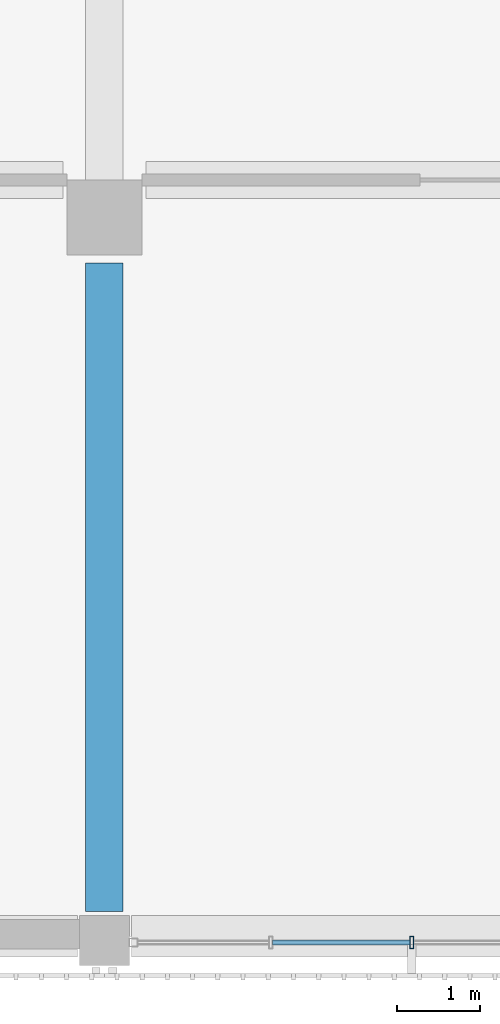
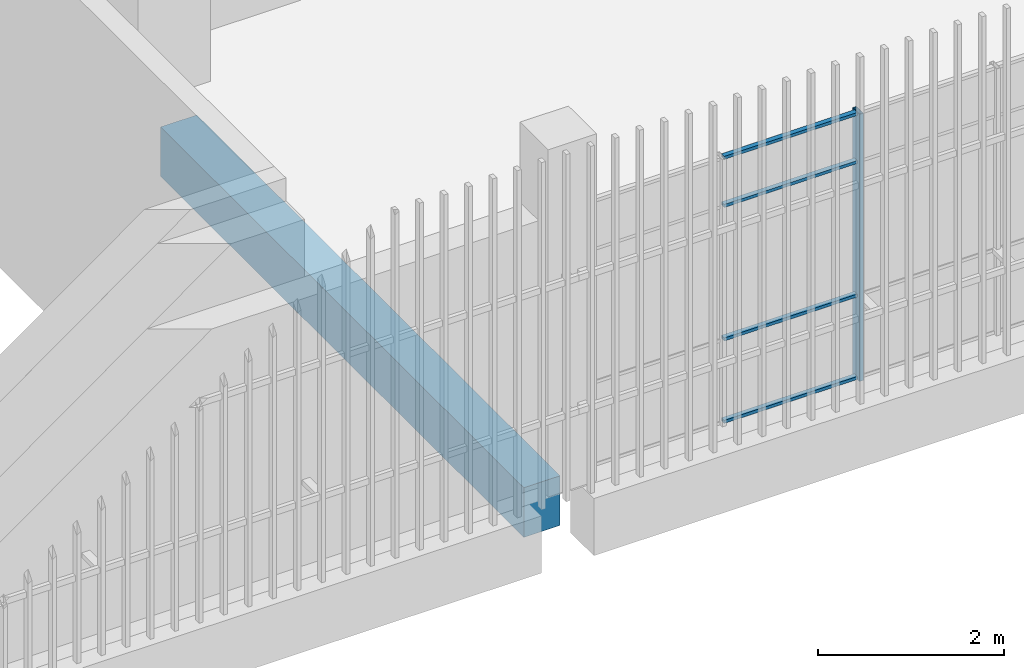
# One storey, part 16 of 104: 5 members, 1 beam, 1 element without a shape of its own.
"""IFC4 building model written with IfcOpenShell, lengths in metres."""

from ifc_helpers import new_model, si_unit, direction, frame, origin, origin_2d, place, context, subcontext, project, spatial, rectangle, hollow_rectangle, extrude, material, layer, layer_set, material_profile, profile_set, type_object, element, aggregate, save


model = new_model("IFC4")

# Units and contexts
model_context = context("Model", 3, precision=1e-05, world=origin(), true_north=direction((0.0, 1.0)))
body_context = subcontext(model_context, "Body", "Model", "MODEL_VIEW")
ifc_project = project(units=[si_unit("LENGTHUNIT", "METRE"), si_unit("AREAUNIT", "SQUARE_METRE"), si_unit("VOLUMEUNIT", "CUBIC_METRE"), si_unit("PLANEANGLEUNIT", "RADIAN"), si_unit("MASSUNIT", "GRAM", prefix="KILO")], contexts=[model_context])

# Site, building, storey
site_placement = place(None, origin())
site = spatial("IfcSite", under=ifc_project, at=site_placement, CompositionType="ELEMENT")
building_placement = place(site_placement, origin())
building = spatial("IfcBuilding", under=site, at=building_placement, Name="Shirokan Park Arena", CompositionType="ELEMENT")
storey_placement = place(building_placement, frame((0.0, 0.0, 10.919921875)))
storey = spatial("IfcBuildingStorey", under=building, at=storey_placement, Name="L02", CompositionType="ELEMENT", Elevation=10.919921875)

# Curtain wall, member
ifc_material_1 = material(Name="Steel and glass curtain wall", Category="steel")
ifc_layer = layer(ifc_material_1, 0.14990234375)
ifc_layer_set = layer_set([ifc_layer], Name="Steel and glass curtain wall 150 mm")
curtain_wall_type = type_object("IfcCurtainWallType", Name="Curtain wall exposed bay 150", PredefinedType="NOTDEFINED", material=ifc_layer_set)
curtain_wall_placement = place(storey_placement, origin())
curtain_wall = element("IfcCurtainWall", 1, at=curtain_wall_placement, inside=storey, type_object=curtain_wall_type, Name="Curtain wall south bay 11 L02", PredefinedType="NOTDEFINED")
ifc_material_2 = material(Name="Steel S355", Category="steel")
ifc_material_profile_1 = material_profile(ifc_material_2, hollow_rectangle(XDim=0.14990234375, YDim=0.050048828125, WallThickness=0.006103515625, at=origin_2d()), Name="RHS 150x50x6")
ifc_profile_set_1 = profile_set([ifc_material_profile_1], Name="Steel S355")
member_type_1 = type_object("IfcMemberType", Name="Mullion RHS 150x50x6", PredefinedType="MULLION", material=ifc_profile_set_1)
member_1_placement = place(storey_placement, frame((94.699951171875, -0.074951171875, 0.0), z_axis=(0.0, 0.0, 1.0), x_axis=(0.0, 1.0, 0.0)))
member_1 = element("IfcMember", 2, at=member_1_placement, type_object=member_type_1, Name="CW1 mullion 3", PredefinedType="MULLION", context=body_context, shape_type="SweptSolid", body=[
    extrude(hollow_rectangle(XDim=0.14990234375, YDim=0.050048828125, WallThickness=0.006103515625, at=origin_2d()), origin(), (0.0, 0.0, 1.0), 3.5),
])

# Beam
ifc_material_3 = material(Name="Concrete C35", Category="concrete")
ifc_material_profile_2 = material_profile(ifc_material_3, rectangle(XDim=0.449951171875, YDim=0.64990234375, at=origin_2d()), Name="450x650")
ifc_profile_set_2 = profile_set([ifc_material_profile_2], Name="Concrete C35")
beam_type = type_object("IfcBeamType", Name="RC girder 450x650", PredefinedType="BEAM", material=ifc_profile_set_2)
beam_placement = place(storey_placement, frame((91.0, 0.300048828125, -0.625), z_axis=(0.0, 1.0, 0.0), x_axis=(-1.0, 0.0, 0.0)))
element("IfcBeam", 3, at=beam_placement, inside=storey, type_object=beam_type, Name="Girder 11A-11B L02", PredefinedType="BEAM", context=body_context, shape_type="SweptSolid", body=[
    extrude(rectangle(XDim=0.449951171875, YDim=0.64990234375, at=origin_2d()), origin(), (0.0, 0.0, 1.0), 7.7998046875),
])

# Member
ifc_material_profile_3 = material_profile(ifc_material_2, hollow_rectangle(XDim=0.06005859375, YDim=0.0400390625, WallThickness=0.00390625, at=origin_2d()), Name="RHS 60x40x4")
ifc_profile_set_3 = profile_set([ifc_material_profile_3], Name="Steel S355")
member_type_2 = type_object("IfcMemberType", Name="Transom RHS 60x40x4", PredefinedType="MULLION", material=ifc_profile_set_3)
member_2_placement = place(storey_placement, frame((93.02490234375, -0.074951171875, 0.02001953125), z_axis=(1.0, 0.0, 0.0), x_axis=(0.0, 1.0, 0.0)))
member_2 = element("IfcMember", 4, at=member_2_placement, type_object=member_type_2, Name="CW1 transom 2.1", PredefinedType="MULLION", context=body_context, shape_type="SweptSolid", body=[
    extrude(hollow_rectangle(XDim=0.06005859375, YDim=0.0400390625, WallThickness=0.00390625, at=origin_2d()), origin(), (0.0, 0.0, 1.0), 1.650146484375),
])

member_3_placement = place(storey_placement, frame((93.02490234375, -0.074951171875, 1.10009765625), z_axis=(1.0, 0.0, 0.0), x_axis=(0.0, 1.0, 0.0)))
member_3 = element("IfcMember", 5, at=member_3_placement, type_object=member_type_2, Name="CW1 transom 2.2", PredefinedType="MULLION", context=body_context, shape_type="SweptSolid", body=[
    extrude(hollow_rectangle(XDim=0.06005859375, YDim=0.0400390625, WallThickness=0.00390625, at=origin_2d()), origin(), (0.0, 0.0, 1.0), 1.650146484375),
])

member_4_placement = place(storey_placement, frame((93.02490234375, -0.074951171875, 2.85009765625), z_axis=(1.0, 0.0, 0.0), x_axis=(0.0, 1.0, 0.0)))
member_4 = element("IfcMember", 6, at=member_4_placement, type_object=member_type_2, Name="CW1 transom 2.3", PredefinedType="MULLION", context=body_context, shape_type="SweptSolid", body=[
    extrude(hollow_rectangle(XDim=0.06005859375, YDim=0.0400390625, WallThickness=0.00390625, at=origin_2d()), origin(), (0.0, 0.0, 1.0), 1.650146484375),
])

member_5_placement = place(storey_placement, frame((93.02490234375, -0.074951171875, 3.47998046875), z_axis=(1.0, 0.0, 0.0), x_axis=(0.0, 1.0, 0.0)))
member_5 = element("IfcMember", 7, at=member_5_placement, type_object=member_type_2, Name="CW1 transom 2.4", PredefinedType="MULLION", context=body_context, shape_type="SweptSolid", body=[
    extrude(hollow_rectangle(XDim=0.06005859375, YDim=0.0400390625, WallThickness=0.00390625, at=origin_2d()), origin(), (0.0, 0.0, 1.0), 1.650146484375),
])

aggregate(curtain_wall, [member_1, member_2, member_3, member_4, member_5])

save(model, "model.ifc")
